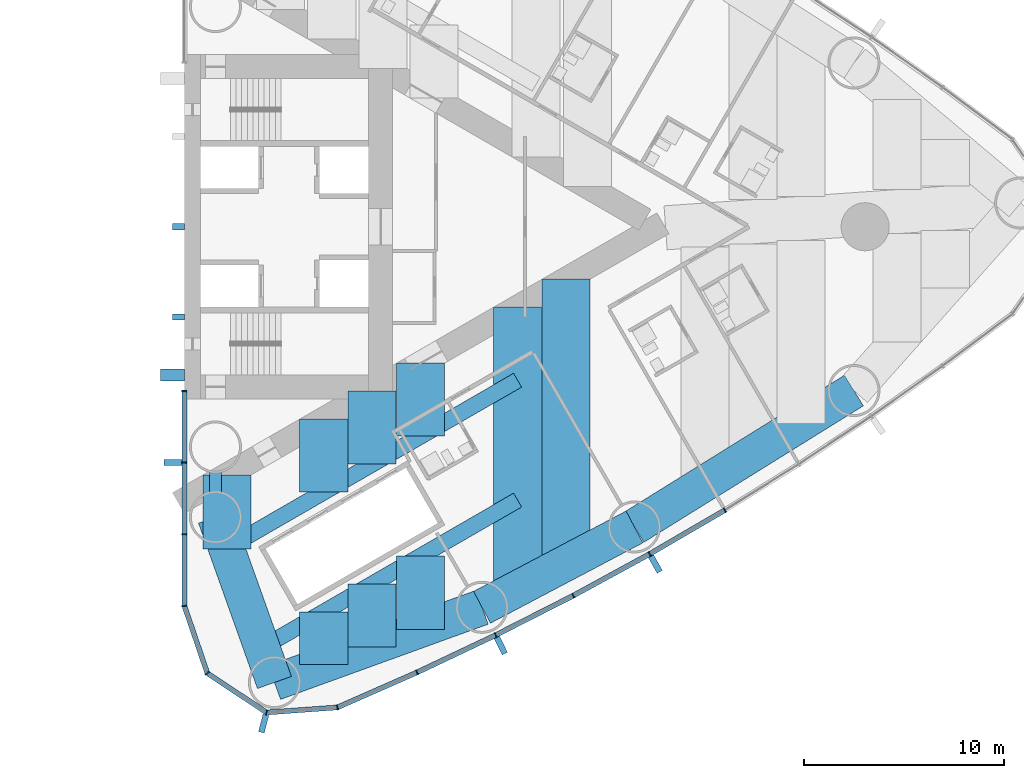
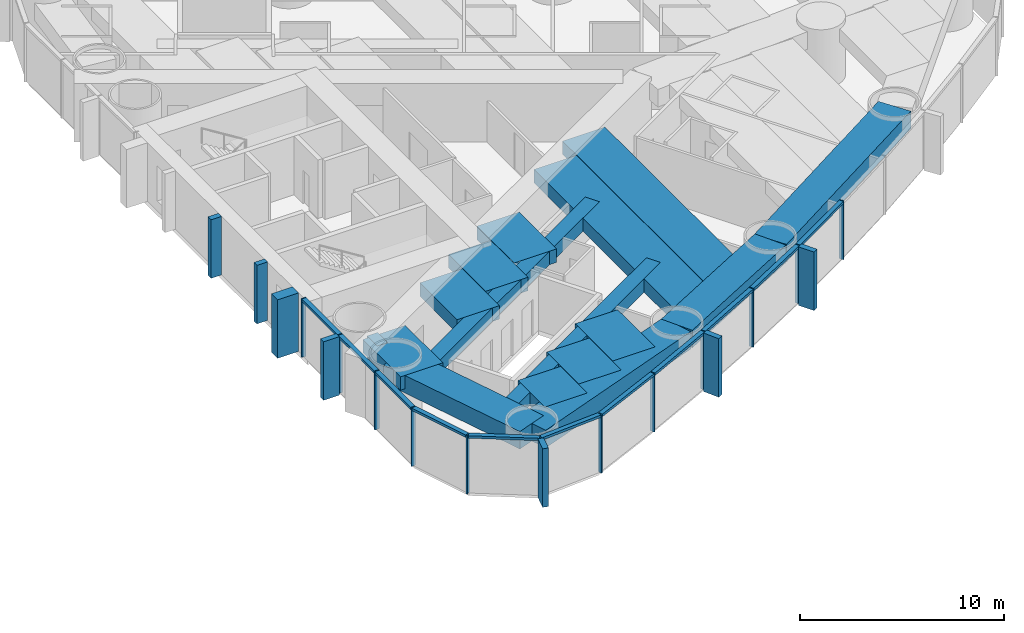
# One storey, part 6 of 18: 30 members, 16 beams, 1 element without a shape of its own.
"""IFC4 building model written with IfcOpenShell, lengths in metres."""

import ifcopenshell
import ifcopenshell.guid

model = None  # the IFC model being written
_history = None  # IfcOwnerHistory: only IFC2X3 demands one
_inside = {}  # id of a spatial element -> (the spatial element, [elements in it])
_under = {}  # id of a project, library or spatial element -> (it, [spatial elements below it])
_declared = {}  # id of a project -> (the project, [libraries it declares])
_typed = {}  # id of a type object -> (the type object, [elements of that type])
_made_of = {}  # id of a material, layer set ... -> (it, [elements and type objects made of it])


def new_model(schema):
    """Start an empty IFC model of exactly this schema.

    Asked for "IFC4X3", IfcOpenShell would pick the latest addendum, in which some entities
    have other attributes; the version numbers below select the first issue.
    IFC2X3 requires an IfcOwnerHistory on every rooted entity: one is made here for all.
    """
    global model, _history
    if schema == "IFC4X3":
        model = ifcopenshell.file(schema_version=(4, 3, 0, 0))
    else:
        model = ifcopenshell.file(schema=schema)
    _inside.clear()
    _under.clear()
    _declared.clear()
    _typed.clear()
    _made_of.clear()
    _history = None
    if model.schema == "IFC2X3":
        org = make("IfcOrganization", Name="unknown")
        user = make(
            "IfcPersonAndOrganization",
            ThePerson=make("IfcPerson", FamilyName="unknown"),
            TheOrganization=org,
        )
        app = make(
            "IfcApplication",
            ApplicationDeveloper=org,
            Version="unknown",
            ApplicationFullName="unknown",
            ApplicationIdentifier="unknown",
        )
        _history = make(
            "IfcOwnerHistory",
            OwningUser=user,
            OwningApplication=app,
            ChangeAction="ADDED",
            CreationDate=0,
        )
    return model


def make(cls, **values):
    """One entity of the class cls with the attributes given. An attribute that is None is left unset."""
    return model.create_entity(
        cls, **{name: value for name, value in values.items() if value is not None}
    )


def rooted(cls, **values):
    """An entity with a GlobalId (a new one), such as an element, a storey or a relation."""
    return make(cls, GlobalId=ifcopenshell.guid.new(), OwnerHistory=_history, **values)


def si_unit(unit_type, name, prefix=None):
    """IfcSIUnit, for example si_unit("LENGTHUNIT", "METRE", prefix="MILLI")."""
    return make("IfcSIUnit", UnitType=unit_type, Prefix=prefix, Name=name)


def assignment(units):
    """IfcUnitAssignment: the units of a project."""
    return None if units is None else make("IfcUnitAssignment", Units=units)


def point(xyz):
    """IfcCartesianPoint."""
    return None if xyz is None else make("IfcCartesianPoint", Coordinates=xyz)


def direction(xyz):
    """IfcDirection."""
    return None if xyz is None else make("IfcDirection", DirectionRatios=xyz)


def frame(location, z_axis=None, x_axis=None):
    """IfcAxis2Placement3D, a coordinate frame: its origin and axes. An axis left out is left unset."""
    return make(
        "IfcAxis2Placement3D",
        Location=point(location),
        Axis=direction(z_axis),
        RefDirection=direction(x_axis),
    )


def frame_2d(location, x_axis=None):
    """IfcAxis2Placement2D, a coordinate frame in the plane: its origin and x axis."""
    return make(
        "IfcAxis2Placement2D", Location=point(location), RefDirection=direction(x_axis)
    )


def origin():
    """The frame at (0, 0, 0) with its axes left unset."""
    return frame((0.0, 0.0, 0.0))


def origin_2d():
    """The frame at (0, 0) in the plane with its x axis left unset."""
    return frame_2d((0.0, 0.0))


def place(relative_to, where):
    """IfcLocalPlacement: puts the frame where relative to a parent placement (None: the world)."""
    return make(
        "IfcLocalPlacement", PlacementRelTo=relative_to, RelativePlacement=where
    )


def context(
    kind, dimensions, precision=None, world=None, true_north=None, identifier=None
):
    """IfcGeometricRepresentationContext, for example the 3D "Model" context."""
    return make(
        "IfcGeometricRepresentationContext",
        ContextIdentifier=identifier,
        ContextType=kind,
        CoordinateSpaceDimension=dimensions,
        Precision=precision,
        WorldCoordinateSystem=world,
        TrueNorth=true_north,
    )


def subcontext(parent, identifier, kind, view, scale=None):
    """IfcGeometricRepresentationSubContext, for example "Body" below "Model"."""
    return make(
        "IfcGeometricRepresentationSubContext",
        ContextIdentifier=identifier,
        ContextType=kind,
        ParentContext=parent,
        TargetScale=scale,
        TargetView=view,
    )


def project(units=None, contexts=None):
    """IfcProject with its units and contexts."""
    return rooted(
        "IfcProject",
        Name="project",
        RepresentationContexts=contexts,
        UnitsInContext=assignment(units),
    )


def spatial(cls, under=None, at=None, **own):
    """A site, building, storey or space (cls), placed at a placement, below another one or the project."""
    s = rooted(cls, ObjectPlacement=at, **own)
    if under is not None:
        _under.setdefault(under.id(), (under, []))[1].append(s)
    return s


def profile(cls, at=None, kind="AREA", **sizes):
    """A parametric profile (cls). Its sizes go by their IFC names, for example OverallWidth=200.0."""
    return make(cls, ProfileType=kind, Position=at, **sizes)


def rectangle(**sizes):
    """IfcRectangleProfileDef."""
    return profile("IfcRectangleProfileDef", **sizes)


def hollow_rectangle(**sizes):
    """IfcRectangleHollowProfileDef."""
    return profile("IfcRectangleHollowProfileDef", **sizes)


def extrude(swept, where, along, depth):
    """IfcExtrudedAreaSolid: the profile swept, set in the frame where, extruded along a direction by depth."""
    return make(
        "IfcExtrudedAreaSolid",
        SweptArea=swept,
        Position=where,
        ExtrudedDirection=direction(along),
        Depth=depth,
    )


def shape(context_of_items, identifier, shape_type, items):
    """IfcShapeRepresentation: the items that make up one representation, for example the "Body"."""
    return make(
        "IfcShapeRepresentation",
        ContextOfItems=context_of_items,
        RepresentationIdentifier=identifier,
        RepresentationType=shape_type,
        Items=items,
    )


def material(Name=None, Category=None):
    """IfcMaterial."""
    return make("IfcMaterial", Name=Name, Category=Category)


def material_profile(
    of_material, cross_section, Name=None, Category=None, Priority=None
):
    """IfcMaterialProfile: a cross section and its material."""
    return make(
        "IfcMaterialProfile",
        Name=Name,
        Material=of_material,
        Profile=cross_section,
        Priority=Priority,
        Category=Category,
    )


def profile_set(profiles, Name=None, composite=None):
    """IfcMaterialProfileSet."""
    return make(
        "IfcMaterialProfileSet",
        Name=Name,
        MaterialProfiles=profiles,
        CompositeProfile=composite,
    )


def made_of(thing, what):
    """Note that an element or type object is made of a material, layer set ...; save() writes the relation."""
    if what is not None:
        _made_of.setdefault(what.id(), (what, []))[1].append(thing)
    return thing


def type_object(cls, material=None, **own):
    """A type object (cls), such as IfcWallType, which elements share."""
    return made_of(rooted(cls, **own), material)


def element(
    cls,
    number,
    at=None,
    inside=None,
    cuts=None,
    type_object=None,
    material=None,
    context=None,
    identifier="Body",
    shape_type=None,
    held_by="IfcProductDefinitionShape",
    body=None,
    shapes=None,
    **own,
):
    """One element of the class cls, such as IfcWall. Its Tag is "e" and its number.

    at: its placement. inside: the storey or other place that contains it. cuts: it is an
    opening in that element (IfcRelVoidsElement). A single representation is given by context,
    identifier, shape_type and body (its items); several are given by shapes. held_by: the class
    of the entity that holds the representations. save() writes the other relations.
    """
    e = rooted(cls, Tag="e%d" % number, ObjectPlacement=at, **own)
    if body is not None:
        shapes = [shape(context, identifier, shape_type, body)]
    if shapes is not None:
        e.Representation = make(held_by, Representations=shapes)
    if inside is not None:
        _inside.setdefault(inside.id(), (inside, []))[1].append(e)
    if cuts is not None:
        rooted(
            "IfcRelVoidsElement", RelatingBuildingElement=cuts, RelatedOpeningElement=e
        )
    if type_object is not None:
        _typed.setdefault(type_object.id(), (type_object, []))[1].append(e)
    return made_of(e, material)


def aggregate(whole, parts):
    """IfcRelAggregates: a whole, such as a stair, and the parts it consists of."""
    return rooted("IfcRelAggregates", RelatingObject=whole, RelatedObjects=parts)


def save(model, path):
    """Write the relations noted so far, then the file.

    IfcRelAggregates (storeys below a building ...), IfcRelContainedInSpatialStructure (elements
    in a storey), IfcRelDefinesByType, IfcRelAssociatesMaterial and IfcRelDeclares: one each for
    every whole, place, type object, material and project.
    """
    for whole, parts in _under.values():
        aggregate(whole, parts)
    for where, things in _inside.values():
        rooted(
            "IfcRelContainedInSpatialStructure",
            RelatedElements=things,
            RelatingStructure=where,
        )
    for kind, things in _typed.values():
        rooted("IfcRelDefinesByType", RelatedObjects=things, RelatingType=kind)
    for what, things in _made_of.values():
        rooted("IfcRelAssociatesMaterial", RelatedObjects=things, RelatingMaterial=what)
    for by, libraries in _declared.values():
        rooted("IfcRelDeclares", RelatingContext=by, RelatedDefinitions=libraries)
    model.write(path)


model = new_model("IFC4")

# Units and contexts
model_context = context("Model", 3, precision=1e-05, world=origin(), true_north=direction((0.0, 1.0)))
body_context = subcontext(model_context, "Body", "Model", "MODEL_VIEW")
ifc_project = project(units=[si_unit("LENGTHUNIT", "METRE"), si_unit("AREAUNIT", "SQUARE_METRE"), si_unit("VOLUMEUNIT", "CUBIC_METRE"), si_unit("PLANEANGLEUNIT", "RADIAN"), si_unit("MASSUNIT", "GRAM", prefix="KILO")], contexts=[model_context])

# Site, building, storey
site_placement = place(None, origin())
site = spatial("IfcSite", under=ifc_project, at=site_placement, CompositionType="ELEMENT")
building_placement = place(site_placement, origin())
building = spatial("IfcBuilding", under=site, at=building_placement, Name="Lancet Gate Hotel", CompositionType="ELEMENT")
storey_placement = place(building_placement, frame((0.0, 0.0, 101.10009765625)))
storey = spatial("IfcBuildingStorey", under=building, at=storey_placement, Name="L26", CompositionType="ELEMENT", Elevation=101.10009765625)

# Curtain wall, members
ifc_material_1 = material(Name="Aluminium curtain wall", Category="aluminium")
curtain_wall_type = type_object("IfcCurtainWallType", Name="Tower unitised curtain wall", PredefinedType="USERDEFINED", material=ifc_material_1)
curtain_wall_placement = place(storey_placement, origin())
curtain_wall = element("IfcCurtainWall", 1, at=curtain_wall_placement, inside=storey, type_object=curtain_wall_type, Name="T2 L26 curtain wall 1", ObjectType="UNITISED CURTAIN WALL", PredefinedType="USERDEFINED")
ifc_material_2 = material(Name="Aluminium mullion", Category="aluminium")
ifc_material_profile_1 = material_profile(ifc_material_2, rectangle(XDim=0.06494140625, YDim=0.25, at=origin_2d()), Name="MULLION 65x250")
ifc_profile_set_1 = profile_set([ifc_material_profile_1], Name="Aluminium mullion")
member_type_1 = type_object("IfcMemberType", Name="Aluminium mullion 65x250", PredefinedType="MULLION", material=ifc_profile_set_1)
member_1_placement = place(storey_placement, frame((27.5, -8.199951171875, 0.0), z_axis=(0.0, 0.0, 1.0), x_axis=(0.0, -1.0, 0.0)))
member_1 = element("IfcMember", 2, at=member_1_placement, type_object=member_type_1, Name="T2 L26 curtain wall 1 mullion 1", PredefinedType="MULLION", context=body_context, shape_type="SweptSolid", body=[
    extrude(rectangle(XDim=0.06494140625, YDim=0.25, at=origin_2d()), origin(), (0.0, 0.0, 1.0), 3.5),
])
member_2_placement = place(storey_placement, frame((27.5, -11.781005859375, 0.0), z_axis=(0.0, 0.0, 1.0), x_axis=(0.0, -1.0, 0.0)))
member_2 = element("IfcMember", 3, at=member_2_placement, type_object=member_type_1, Name="T2 L26 curtain wall 1 mullion 2", PredefinedType="MULLION", context=body_context, shape_type="SweptSolid", body=[
    extrude(rectangle(XDim=0.06494140625, YDim=0.25, at=origin_2d()), origin(), (0.0, 0.0, 1.0), 3.5),
])
member_3_placement = place(storey_placement, frame((27.5, -15.362060546875, 0.0), z_axis=(0.0, 0.0, 1.0), x_axis=(0.0, -1.0, 0.0)))
member_3 = element("IfcMember", 4, at=member_3_placement, type_object=member_type_1, Name="T2 L26 curtain wall 1 mullion 3", PredefinedType="MULLION", context=body_context, shape_type="SweptSolid", body=[
    extrude(rectangle(XDim=0.06494140625, YDim=0.25, at=origin_2d()), origin(), (0.0, 0.0, 1.0), 3.5),
])
member_4_placement = place(storey_placement, frame((27.5, -18.94287109375, 0.0), z_axis=(0.0, 0.0, 1.0), x_axis=(0.162738742557, -0.986669195663, 0.0)))
member_4 = element("IfcMember", 5, at=member_4_placement, type_object=member_type_1, Name="T2 L26 curtain wall 1 mullion 4", PredefinedType="MULLION", context=body_context, shape_type="SweptSolid", body=[
    extrude(rectangle(XDim=0.06494140625, YDim=0.25, at=origin_2d()), origin(), (0.0, 0.0, 1.0), 3.5),
])
member_5_placement = place(storey_placement, frame((28.64453125, -22.301513671875, 0.0), z_axis=(0.0, 0.0, 1.0), x_axis=(0.610663954798, -0.79188984986, 0.0)))
member_5 = element("IfcMember", 6, at=member_5_placement, type_object=member_type_1, Name="T2 L26 curtain wall 1 mullion 5", PredefinedType="MULLION", context=body_context, shape_type="SweptSolid", body=[
    extrude(rectangle(XDim=0.06494140625, YDim=0.25, at=origin_2d()), origin(), (0.0, 0.0, 1.0), 3.5),
])
member_6_placement = place(storey_placement, frame((31.60205078125, -24.26220703125, 0.0), z_axis=(0.0, 0.0, 1.0), x_axis=(0.967157174963, -0.254179068604, 0.0)))
member_6 = element("IfcMember", 7, at=member_6_placement, type_object=member_type_1, Name="T2 L26 curtain wall 1 mullion 6", PredefinedType="MULLION", context=body_context, shape_type="SweptSolid", body=[
    extrude(rectangle(XDim=0.06494140625, YDim=0.25, at=origin_2d()), origin(), (0.0, 0.0, 1.0), 3.5),
])
member_7_placement = place(storey_placement, frame((35.141357421875, -24.009033203125, 0.0), z_axis=(0.0, 0.0, 1.0), x_axis=(0.966317378791, 0.257353304711, 0.0)))
member_7 = element("IfcMember", 8, at=member_7_placement, type_object=member_type_1, Name="T2 L26 curtain wall 1 mullion 7", PredefinedType="MULLION", context=body_context, shape_type="SweptSolid", body=[
    extrude(rectangle(XDim=0.06494140625, YDim=0.25, at=origin_2d()), origin(), (0.0, 0.0, 1.0), 3.5),
])
member_8_placement = place(storey_placement, frame((39.12109375, -22.259765625, 0.0), z_axis=(0.0, 0.0, 1.0), x_axis=(0.909672766767, 0.415325724465, 0.0)))
member_8 = element("IfcMember", 9, at=member_8_placement, type_object=member_type_1, Name="T2 L26 curtain wall 1 mullion 8", PredefinedType="MULLION", context=body_context, shape_type="SweptSolid", body=[
    extrude(rectangle(XDim=0.06494140625, YDim=0.25, at=origin_2d()), origin(), (0.0, 0.0, 1.0), 3.5),
])
member_9_placement = place(storey_placement, frame((43.0498046875, -20.398193359375, 0.0), z_axis=(0.0, 0.0, 1.0), x_axis=(0.897511886496, 0.440990264743, 0.0)))
member_9 = element("IfcMember", 10, at=member_9_placement, type_object=member_type_1, Name="T2 L26 curtain wall 1 mullion 9", PredefinedType="MULLION", context=body_context, shape_type="SweptSolid", body=[
    extrude(rectangle(XDim=0.06494140625, YDim=0.25, at=origin_2d()), origin(), (0.0, 0.0, 1.0), 3.5),
])
member_10_placement = place(storey_placement, frame((46.923828125, -18.426025390625, 0.0), z_axis=(0.0, 0.0, 1.0), x_axis=(0.884627112962, 0.466299121822, 0.0)))
member_10 = element("IfcMember", 11, at=member_10_placement, type_object=member_type_1, Name="T2 L26 curtain wall 1 mullion 10", PredefinedType="MULLION", context=body_context, shape_type="SweptSolid", body=[
    extrude(rectangle(XDim=0.06494140625, YDim=0.25, at=origin_2d()), origin(), (0.0, 0.0, 1.0), 3.5),
])
member_11_placement = place(storey_placement, frame((50.740478515625, -16.344482421875, 0.0), z_axis=(0.0, 0.0, 1.0), x_axis=(0.871028838445, 0.491231882716, 0.0)))
member_11 = element("IfcMember", 12, at=member_11_placement, type_object=member_type_1, Name="T2 L26 curtain wall 1 mullion 11", PredefinedType="MULLION", context=body_context, shape_type="SweptSolid", body=[
    extrude(rectangle(XDim=0.06494140625, YDim=0.25, at=origin_2d()), origin(), (0.0, 0.0, 1.0), 3.5),
])
member_12_placement = place(storey_placement, frame((54.496337890625, -14.1552734375, 0.0), z_axis=(0.0, 0.0, 1.0), x_axis=(0.856728030701, 0.515768437781, 0.0)))
member_12 = element("IfcMember", 13, at=member_12_placement, type_object=member_type_1, Name="T2 L26 curtain wall 1 mullion 12", PredefinedType="MULLION", context=body_context, shape_type="SweptSolid", body=[
    extrude(rectangle(XDim=0.06494140625, YDim=0.25, at=origin_2d()), origin(), (0.0, 0.0, 1.0), 3.5),
])
ifc_material_3 = material(Name="Aluminium transom", Category="aluminium")
ifc_material_profile_2 = material_profile(ifc_material_3, rectangle(XDim=0.25, YDim=0.14990234375, at=origin_2d()), Name="TRANSOM 250x150")
ifc_profile_set_2 = profile_set([ifc_material_profile_2], Name="Aluminium transom")
member_type_2 = type_object("IfcMemberType", Name="Aluminium transom 250x150", PredefinedType="USERDEFINED", material=ifc_profile_set_2)
member_13_placement = place(storey_placement, frame((27.5, -8.232421875, 3.4248046875), z_axis=(0.0, -1.0, 0.0), x_axis=(1.0, 0.0, 0.0)))
member_13 = element("IfcMember", 14, at=member_13_placement, type_object=member_type_2, Name="T2 L26 curtain wall 1 transom 1", ObjectType="TRANSOM", PredefinedType="USERDEFINED", context=body_context, shape_type="SweptSolid", body=[
    extrude(rectangle(XDim=0.25, YDim=0.14990234375, at=origin_2d()), origin(), (0.0, 0.0, 1.0), 3.51611328125),
])
member_14_placement = place(storey_placement, frame((27.5, -11.8134765625, 3.4248046875), z_axis=(0.0, -1.0, 0.0), x_axis=(1.0, 0.0, 0.0)))
member_14 = element("IfcMember", 15, at=member_14_placement, type_object=member_type_2, Name="T2 L26 curtain wall 1 transom 2", ObjectType="TRANSOM", PredefinedType="USERDEFINED", context=body_context, shape_type="SweptSolid", body=[
    extrude(rectangle(XDim=0.25, YDim=0.14990234375, at=origin_2d()), origin(), (0.0, 0.0, 1.0), 3.515869140625),
])
member_15_placement = place(storey_placement, frame((27.5, -15.39453125, 3.4248046875), z_axis=(0.0, -1.0, 0.0), x_axis=(1.0, 0.0, 0.0)))
member_15 = element("IfcMember", 16, at=member_15_placement, type_object=member_type_2, Name="T2 L26 curtain wall 1 transom 3", ObjectType="TRANSOM", PredefinedType="USERDEFINED", context=body_context, shape_type="SweptSolid", body=[
    extrude(rectangle(XDim=0.25, YDim=0.14990234375, at=origin_2d()), origin(), (0.0, 0.0, 1.0), 3.515869140625),
])
member_16_placement = place(storey_placement, frame((27.510498046875, -18.9736328125, 3.4248046875), z_axis=(0.322549769135, -0.946552505903, 0.0), x_axis=(0.946552505903, 0.322549769135, 0.0)))
member_16 = element("IfcMember", 17, at=member_16_placement, type_object=member_type_2, Name="T2 L26 curtain wall 1 transom 4", ObjectType="TRANSOM", PredefinedType="USERDEFINED", context=body_context, shape_type="SweptSolid", body=[
    extrude(rectangle(XDim=0.25, YDim=0.14990234375, at=origin_2d()), origin(), (0.0, 0.0, 1.0), 3.4833984375),
])
member_17_placement = place(storey_placement, frame((28.671630859375, -22.319580078125, 3.4248046875), z_axis=(0.833470854141, -0.552563421968, 0.0), x_axis=(0.552563421968, 0.833470854141, 0.0)))
member_17 = element("IfcMember", 18, at=member_17_placement, type_object=member_type_2, Name="T2 L26 curtain wall 1 transom 5", ObjectType="TRANSOM", PredefinedType="USERDEFINED", context=body_context, shape_type="SweptSolid", body=[
    extrude(rectangle(XDim=0.25, YDim=0.14990234375, at=origin_2d()), origin(), (0.0, 0.0, 1.0), 3.4833984375),
])
member_18_placement = place(storey_placement, frame((31.634521484375, -24.260009765625, 3.4248046875), z_axis=(0.997446232115, 0.071421383636, 0.0), x_axis=(-0.071421383636, 0.997446232115, 0.0)))
member_18 = element("IfcMember", 19, at=member_18_placement, type_object=member_type_2, Name="T2 L26 curtain wall 1 transom 6", ObjectType="TRANSOM", PredefinedType="USERDEFINED", context=body_context, shape_type="SweptSolid", body=[
    extrude(rectangle(XDim=0.25, YDim=0.14990234375, at=origin_2d()), origin(), (0.0, 0.0, 1.0), 3.483154296875),
])
member_19_placement = place(storey_placement, frame((35.171142578125, -23.995849609375, 3.4248046875), z_axis=(0.915484772266, 0.402352621155, 0.0), x_axis=(-0.402352621155, 0.915484772266, 0.0)))
member_19 = element("IfcMember", 20, at=member_19_placement, type_object=member_type_2, Name="T2 L26 curtain wall 1 transom 7", ObjectType="TRANSOM", PredefinedType="USERDEFINED", context=body_context, shape_type="SweptSolid", body=[
    extrude(rectangle(XDim=0.25, YDim=0.14990234375, at=origin_2d()), origin(), (0.0, 0.0, 1.0), 4.281982421875),
])
member_20_placement = place(storey_placement, frame((39.150634765625, -22.245849609375, 3.4248046875), z_axis=(0.903679787814, 0.428208875546, 0.0), x_axis=(-0.428208875546, 0.903679787814, 0.0)))
member_20 = element("IfcMember", 21, at=member_20_placement, type_object=member_type_2, Name="T2 L26 curtain wall 1 transom 8", ObjectType="TRANSOM", PredefinedType="USERDEFINED", context=body_context, shape_type="SweptSolid", body=[
    extrude(rectangle(XDim=0.25, YDim=0.14990234375, at=origin_2d()), origin(), (0.0, 0.0, 1.0), 4.282470703125),
])
member_21_placement = place(storey_placement, frame((43.07861328125, -20.383544921875, 3.4248046875), z_axis=(0.891165630033, 0.453678101574, 0.0), x_axis=(-0.453678101574, 0.891165630033, 0.0)))
member_21 = element("IfcMember", 22, at=member_21_placement, type_object=member_type_2, Name="T2 L26 curtain wall 1 transom 9", ObjectType="TRANSOM", PredefinedType="USERDEFINED", context=body_context, shape_type="SweptSolid", body=[
    extrude(rectangle(XDim=0.25, YDim=0.14990234375, at=origin_2d()), origin(), (0.0, 0.0, 1.0), 4.282470703125),
])
member_22_placement = place(storey_placement, frame((46.952392578125, -18.410400390625, 3.4248046875), z_axis=(0.877906466435, 0.478832158685, 0.0), x_axis=(-0.478832158685, 0.877906466435, 0.0)))
member_22 = element("IfcMember", 23, at=member_22_placement, type_object=member_type_2, Name="T2 L26 curtain wall 1 transom 10", ObjectType="TRANSOM", PredefinedType="USERDEFINED", context=body_context, shape_type="SweptSolid", body=[
    extrude(rectangle(XDim=0.25, YDim=0.14990234375, at=origin_2d()), origin(), (0.0, 0.0, 1.0), 4.282470703125),
])
member_23_placement = place(storey_placement, frame((50.7685546875, -16.327880859375, 3.4248046875), z_axis=(0.863973212152, 0.503537772847, 0.0), x_axis=(-0.503537772847, 0.863973212152, 0.0)))
member_23 = element("IfcMember", 24, at=member_23_placement, type_object=member_type_2, Name="T2 L26 curtain wall 1 transom 11", ObjectType="TRANSOM", PredefinedType="USERDEFINED", context=body_context, shape_type="SweptSolid", body=[
    extrude(rectangle(XDim=0.25, YDim=0.14990234375, at=origin_2d()), origin(), (0.0, 0.0, 1.0), 4.2822265625),
])

# Beams
ifc_material_4 = material(Name="Concrete C50/60", Category="concrete")
ifc_material_profile_3 = material_profile(ifc_material_4, rectangle(XDim=1.800048828125, YDim=1.050048828125, at=origin_2d()), Name="RC 1800x1050")
ifc_profile_set_3 = profile_set([ifc_material_profile_3], Name="Concrete C50/60")
beam_type_1 = type_object("IfcBeamType", Name="Edge beam RC 1800x1050", PredefinedType="SPANDREL", material=ifc_profile_set_3)
beam_1_placement = place(storey_placement, frame((31.99609375, -22.76318359375, 2.724853515625), z_axis=(0.940225039526, 0.340553777029, 0.0), x_axis=(-0.340553777029, 0.940225039526, 0.0)))
element("IfcBeam", 25, at=beam_1_placement, inside=storey, type_object=beam_type_1, Name="T2 edge beam EB1 L26", PredefinedType="SPANDREL", context=body_context, shape_type="SweptSolid", body=[
    extrude(rectangle(XDim=1.800048828125, YDim=1.050048828125, at=origin_2d()), origin(), (0.0, 0.0, 1.0), 11.029296875),
])
beam_2_placement = place(storey_placement, frame((42.3662109375, -19.007080078125, 2.724853515625), z_axis=(0.884632510133, 0.466288882578, 0.0), x_axis=(-0.466288882578, 0.884632510133, 0.0)))
element("IfcBeam", 26, at=beam_2_placement, inside=storey, type_object=beam_type_1, Name="T2 edge beam EB1 L26", PredefinedType="SPANDREL", context=body_context, shape_type="SweptSolid", body=[
    extrude(rectangle(XDim=1.800048828125, YDim=1.050048828125, at=origin_2d()), origin(), (0.0, 0.0, 1.0), 8.605712890625),
])
beam_3_placement = place(storey_placement, frame((49.97900390625, -14.994384765625, 2.724853515625), z_axis=(0.849312372751, 0.527890607505, 0.0), x_axis=(-0.527890607505, 0.849312372751, 0.0)))
element("IfcBeam", 27, at=beam_3_placement, inside=storey, type_object=beam_type_1, Name="T2 edge beam EB1 L26", PredefinedType="SPANDREL", context=body_context, shape_type="SweptSolid", body=[
    extrude(rectangle(XDim=1.800048828125, YDim=1.050048828125, at=origin_2d()), origin(), (0.0, 0.0, 1.0), 12.906494140625),
])
beam_4_placement = place(storey_placement, frame((31.99609375, -22.76318359375, 2.724853515625), z_axis=(-0.335821559388, 0.941925623523, 0.0), x_axis=(-0.941925623523, -0.335821559388, 0.0)))
element("IfcBeam", 28, at=beam_4_placement, inside=storey, type_object=beam_type_1, Name="T2 edge beam EB1 L26", PredefinedType="SPANDREL", context=body_context, shape_type="SweptSolid", body=[
    extrude(rectangle(XDim=1.800048828125, YDim=1.050048828125, at=origin_2d()), origin(), (0.0, 0.0, 1.0), 8.772705078125),
])

# Member
ifc_material_5 = material(Name="Concrete C60/75", Category="concrete")
ifc_material_profile_4 = material_profile(ifc_material_5, rectangle(XDim=0.60009765625, YDim=1.199951171875, at=origin_2d()), Name="FIN 600x1200")
ifc_profile_set_4 = profile_set([ifc_material_profile_4], Name="Concrete C60/75")
member_type_3 = type_object("IfcMemberType", Name="Exposed concrete buttress pilaster 600x1200", PredefinedType="USERDEFINED", material=ifc_profile_set_4)
member_24_placement = place(storey_placement, frame((26.909912109375, -7.39990234375, 0.0), z_axis=(0.0, 0.0, 1.0), x_axis=(0.0, 1.0, 0.0)))
element("IfcMember", 29, at=member_24_placement, inside=storey, type_object=member_type_3, Name="T2 buttress pilaster S L26", ObjectType="FIN", PredefinedType="USERDEFINED", context=body_context, shape_type="SweptSolid", body=[
    extrude(rectangle(XDim=0.60009765625, YDim=1.199951171875, at=origin_2d()), origin(), (0.0, 0.0, 1.0), 3.5),
])

ifc_material_6 = material(Name="Precast concrete C50/60", Category="concrete")
ifc_material_profile_5 = material_profile(ifc_material_6, rectangle(XDim=0.300048828125, YDim=0.89990234375, at=origin_2d()), Name="FIN 300x900")
ifc_profile_set_5 = profile_set([ifc_material_profile_5], Name="Precast concrete C50/60")
member_type_4 = type_object("IfcMemberType", Name="Exposed concrete fin 300x900", PredefinedType="USERDEFINED", material=ifc_profile_set_5)
member_25_placement = place(storey_placement, frame((26.925048828125, -11.781005859375, 0.0), z_axis=(0.0, 0.0, 1.0), x_axis=(0.0, -1.0, 0.0)))
member_25 = element("IfcMember", 30, at=member_25_placement, type_object=member_type_4, Name="T2 L26 curtain wall 1 fin 2", ObjectType="FIN", PredefinedType="USERDEFINED", context=body_context, shape_type="SweptSolid", body=[
    extrude(rectangle(XDim=0.300048828125, YDim=0.89990234375, at=origin_2d()), origin(), (0.0, 0.0, 1.0), 3.5),
])

member_26_placement = place(storey_placement, frame((31.455810546875, -24.818359375, 0.0), z_axis=(0.0, 0.0, 1.0), x_axis=(0.967157174963, -0.254179068604, 0.0)))
member_26 = element("IfcMember", 31, at=member_26_placement, type_object=member_type_4, Name="T2 L26 curtain wall 1 fin 6", ObjectType="FIN", PredefinedType="USERDEFINED", context=body_context, shape_type="SweptSolid", body=[
    extrude(rectangle(XDim=0.300048828125, YDim=0.89990234375, at=origin_2d()), origin(), (0.0, 0.0, 1.0), 3.5),
])

member_27_placement = place(storey_placement, frame((43.30322265625, -20.914306640625, 0.0), z_axis=(0.0, 0.0, 1.0), x_axis=(0.897511886496, 0.440990264743, 0.0)))
member_27 = element("IfcMember", 32, at=member_27_placement, type_object=member_type_4, Name="T2 L26 curtain wall 1 fin 9", ObjectType="FIN", PredefinedType="USERDEFINED", context=body_context, shape_type="SweptSolid", body=[
    extrude(rectangle(XDim=0.300048828125, YDim=0.89990234375, at=origin_2d()), origin(), (0.0, 0.0, 1.0), 3.5),
])

member_28_placement = place(storey_placement, frame((51.02294921875, -16.84521484375, 0.0), z_axis=(0.0, 0.0, 1.0), x_axis=(0.871028838445, 0.491231882716, 0.0)))
member_28 = element("IfcMember", 33, at=member_28_placement, type_object=member_type_4, Name="T2 L26 curtain wall 1 fin 11", ObjectType="FIN", PredefinedType="USERDEFINED", context=body_context, shape_type="SweptSolid", body=[
    extrude(rectangle(XDim=0.300048828125, YDim=0.89990234375, at=origin_2d()), origin(), (0.0, 0.0, 1.0), 3.5),
])

aggregate(curtain_wall, [member_1, member_2, member_25, member_3, member_4, member_5, member_6, member_26, member_7, member_8, member_9, member_27, member_10, member_11, member_28, member_12, member_13, member_14, member_15, member_16, member_17, member_18, member_19, member_20, member_21, member_22, member_23])

# Members
ifc_material_7 = material(Name="Concrete C60/75", Category="concrete")
ifc_material_profile_6 = material_profile(ifc_material_7, rectangle(XDim=0.300048828125, YDim=0.60009765625, at=origin_2d()), Name="FIN 300x600")
ifc_profile_set_6 = profile_set([ifc_material_profile_6], Name="Concrete C60/75")
member_type_5 = type_object("IfcMemberType", Name="Exposed concrete rib 300x600", PredefinedType="USERDEFINED", material=ifc_profile_set_6)
for number, where, z_axis, x_axis, name in (
    (34, (27.2099609375, -4.5, 0.0), (0.0, 0.0, 1.0), (0.0, 1.0, 0.0), "T2 core rib 1 L26"),
    (35, (27.2099609375, 0.0, 0.0), (0.0, 0.0, 1.0), (0.0, 1.0, 0.0), "T2 core rib 2 L26"),
):
    element("IfcMember", number, at=place(storey_placement, frame(where, z_axis=z_axis, x_axis=x_axis)), inside=storey, type_object=member_type_5, Name=name, ObjectType="FIN", PredefinedType="USERDEFINED", context=body_context, shape_type="SweptSolid", body=[
        extrude(rectangle(XDim=0.300048828125, YDim=0.60009765625, at=origin_2d()), origin(), (0.0, 0.0, 1.0), 3.5),
    ])

# Beams
ifc_material_8 = material(Name="Concrete C50/60", Category="concrete")
ifc_material_profile_7 = material_profile(ifc_material_8, rectangle(XDim=2.39990234375, YDim=0.800048828125, at=origin_2d()), Name="RC 2400x800")
ifc_profile_set_7 = profile_set([ifc_material_profile_7], Name="Concrete C50/60")
beam_type_2 = type_object("IfcBeamType", Name="Floor beam RC 2400x800", PredefinedType="BEAM", material=ifc_profile_set_7)
beam_5_placement = place(storey_placement, frame((29.6201171875, -16.099365234375, 2.849853515625), z_axis=(0.0, 1.0, 0.0), x_axis=(-1.0, 0.0, 0.0)))
element("IfcBeam", 36, at=beam_5_placement, inside=storey, type_object=beam_type_2, Name="T2 floor beam F01S L26", PredefinedType="BEAM", context=body_context, shape_type="SweptSolid", body=[
    extrude(rectangle(XDim=2.39990234375, YDim=0.800048828125, at=origin_2d()), origin(), (0.0, 0.0, 1.0), 3.69677734375),
])
beam_6_placement = place(storey_placement, frame((44.1416015625, -18.0712890625, 2.849853515625), z_axis=(0.0, 1.0, 0.0), x_axis=(-1.0, 0.0, 0.0)))
element("IfcBeam", 37, at=beam_6_placement, inside=storey, type_object=beam_type_2, Name="T2 floor beam F09S L26", PredefinedType="BEAM", context=body_context, shape_type="SweptSolid", body=[
    extrude(rectangle(XDim=2.39990234375, YDim=0.800048828125, at=origin_2d()), origin(), (0.0, 0.0, 1.0), 14.052490234375),
])
beam_7_placement = place(storey_placement, frame((46.561767578125, -16.795654296875, 2.849853515625), z_axis=(0.0, 1.0, 0.0), x_axis=(-1.0, 0.0, 0.0)))
element("IfcBeam", 38, at=beam_7_placement, inside=storey, type_object=beam_type_2, Name="T2 floor beam F11S L26", PredefinedType="BEAM", context=body_context, shape_type="SweptSolid", body=[
    extrude(rectangle(XDim=2.39990234375, YDim=0.800048828125, at=origin_2d()), origin(), (0.0, 0.0, 1.0), 14.17431640625),
])
beam_8_placement = place(storey_placement, frame((34.460693359375, -21.87060546875, 2.849853515625), z_axis=(0.0, 1.0, 0.0), x_axis=(-1.0, 0.0, 0.0)))
element("IfcBeam", 39, at=beam_8_placement, inside=storey, type_object=beam_type_2, Name="T2 floor beam F03SA L26", PredefinedType="BEAM", context=body_context, shape_type="SweptSolid", body=[
    extrude(rectangle(XDim=2.39990234375, YDim=0.800048828125, at=origin_2d()), origin(), (0.0, 0.0, 1.0), 2.62939453125),
])
beam_9_placement = place(storey_placement, frame((34.460693359375, -13.253662109375, 2.849853515625), z_axis=(0.0, 1.0, 0.0), x_axis=(-1.0, 0.0, 0.0)))
element("IfcBeam", 40, at=beam_9_placement, inside=storey, type_object=beam_type_2, Name="T2 floor beam F03SB L26", PredefinedType="BEAM", context=body_context, shape_type="SweptSolid", body=[
    extrude(rectangle(XDim=2.39990234375, YDim=0.800048828125, at=origin_2d()), origin(), (0.0, 0.0, 1.0), 3.645751953125),
])
beam_10_placement = place(storey_placement, frame((36.880859375, -20.993896484375, 2.849853515625), z_axis=(0.0, 1.0, 0.0), x_axis=(-1.0, 0.0, 0.0)))
element("IfcBeam", 41, at=beam_10_placement, inside=storey, type_object=beam_type_2, Name="T2 floor beam F05SA L26", PredefinedType="BEAM", context=body_context, shape_type="SweptSolid", body=[
    extrude(rectangle(XDim=2.39990234375, YDim=0.800048828125, at=origin_2d()), origin(), (0.0, 0.0, 1.0), 3.150146484375),
])
beam_11_placement = place(storey_placement, frame((36.880859375, -11.8564453125, 2.849853515625), z_axis=(0.0, 1.0, 0.0), x_axis=(-1.0, 0.0, 0.0)))
element("IfcBeam", 42, at=beam_11_placement, inside=storey, type_object=beam_type_2, Name="T2 floor beam F05SB L26", PredefinedType="BEAM", context=body_context, shape_type="SweptSolid", body=[
    extrude(rectangle(XDim=2.39990234375, YDim=0.800048828125, at=origin_2d()), origin(), (0.0, 0.0, 1.0), 3.645751953125),
])
beam_12_placement = place(storey_placement, frame((39.301025390625, -20.1171875, 2.849853515625), z_axis=(0.0, 1.0, 0.0), x_axis=(-1.0, 0.0, 0.0)))
element("IfcBeam", 43, at=beam_12_placement, inside=storey, type_object=beam_type_2, Name="T2 floor beam F07SA L26", PredefinedType="BEAM", context=body_context, shape_type="SweptSolid", body=[
    extrude(rectangle(XDim=2.39990234375, YDim=0.800048828125, at=origin_2d()), origin(), (0.0, 0.0, 1.0), 3.670654296875),
])
beam_13_placement = place(storey_placement, frame((39.301025390625, -10.458984375, 2.849853515625), z_axis=(0.0, 1.0, 0.0), x_axis=(-1.0, 0.0, 0.0)))
element("IfcBeam", 44, at=beam_13_placement, inside=storey, type_object=beam_type_2, Name="T2 floor beam F07SB L26", PredefinedType="BEAM", context=body_context, shape_type="SweptSolid", body=[
    extrude(rectangle(XDim=2.39990234375, YDim=0.800048828125, at=origin_2d()), origin(), (0.0, 0.0, 1.0), 3.6455078125),
])
ifc_material_9 = material(Name="Steel S460QL", Category="steel")
ifc_material_profile_8 = material_profile(ifc_material_9, hollow_rectangle(XDim=0.60009765625, YDim=1.5, WallThickness=0.050048828125, at=origin_2d()), Name="BOX 1500x600x50")
ifc_profile_set_8 = profile_set([ifc_material_profile_8], Name="Steel S460QL")
beam_type_3 = type_object("IfcBeamType", Name="Inner-face link beam BOX 1500x600x50", PredefinedType="BEAM", material=ifc_profile_set_8)
beam_14_placement = place(storey_placement, frame((29.050048828125, -13.25, 2.5), z_axis=(0.0, 1.0, 0.0), x_axis=(-1.0, 0.0, 0.0)))
element("IfcBeam", 45, at=beam_14_placement, inside=storey, type_object=beam_type_3, Name="T2 inner-face link beam LK1 L26", PredefinedType="BEAM", context=body_context, shape_type="SweptSolid", body=[
    extrude(hollow_rectangle(XDim=0.60009765625, YDim=1.5, WallThickness=0.050048828125, at=origin_2d()), origin(), (0.0, 0.0, 1.0), 1.0),
])
ifc_material_10 = material(Name="Steel S460QL", Category="steel")
ifc_material_profile_9 = material_profile(ifc_material_10, hollow_rectangle(XDim=0.800048828125, YDim=0.800048828125, WallThickness=0.080078125, at=origin_2d()), Name="BOX 800x800x80")
ifc_profile_set_9 = profile_set([ifc_material_profile_9], Name="Steel S460QL")
beam_type_4 = type_object("IfcBeamType", Name="Trimmer beam BOX 800x800x80", PredefinedType="BEAM", material=ifc_profile_set_9)
beam_15_placement = place(storey_placement, frame((29.6201171875, -16.048095703125, 2.849853515625), z_axis=(0.866036714307, 0.499980409089, 0.0), x_axis=(-0.499980409089, 0.866036714307, 0.0)))
element("IfcBeam", 46, at=beam_15_placement, inside=storey, type_object=beam_type_4, Name="T2 trimmer beam TR01S L26", PredefinedType="BEAM", context=body_context, shape_type="SweptSolid", body=[
    extrude(hollow_rectangle(XDim=0.800048828125, YDim=0.800048828125, WallThickness=0.080078125, at=origin_2d()), origin(), (0.0, 0.0, 1.0), 16.767822265625),
])
beam_16_placement = place(storey_placement, frame((31.375244140625, -21.0224609375, 2.849853515625), z_axis=(0.86603417384, 0.49998480951, 0.0), x_axis=(-0.49998480951, 0.86603417384, 0.0)))
element("IfcBeam", 47, at=beam_16_placement, inside=storey, type_object=beam_type_4, Name="T2 trimmer beam TR02S L26", PredefinedType="BEAM", context=body_context, shape_type="SweptSolid", body=[
    extrude(hollow_rectangle(XDim=0.800048828125, YDim=0.800048828125, WallThickness=0.080078125, at=origin_2d()), origin(), (0.0, 0.0, 1.0), 14.7412109375),
])

save(model, "model.ifc")
